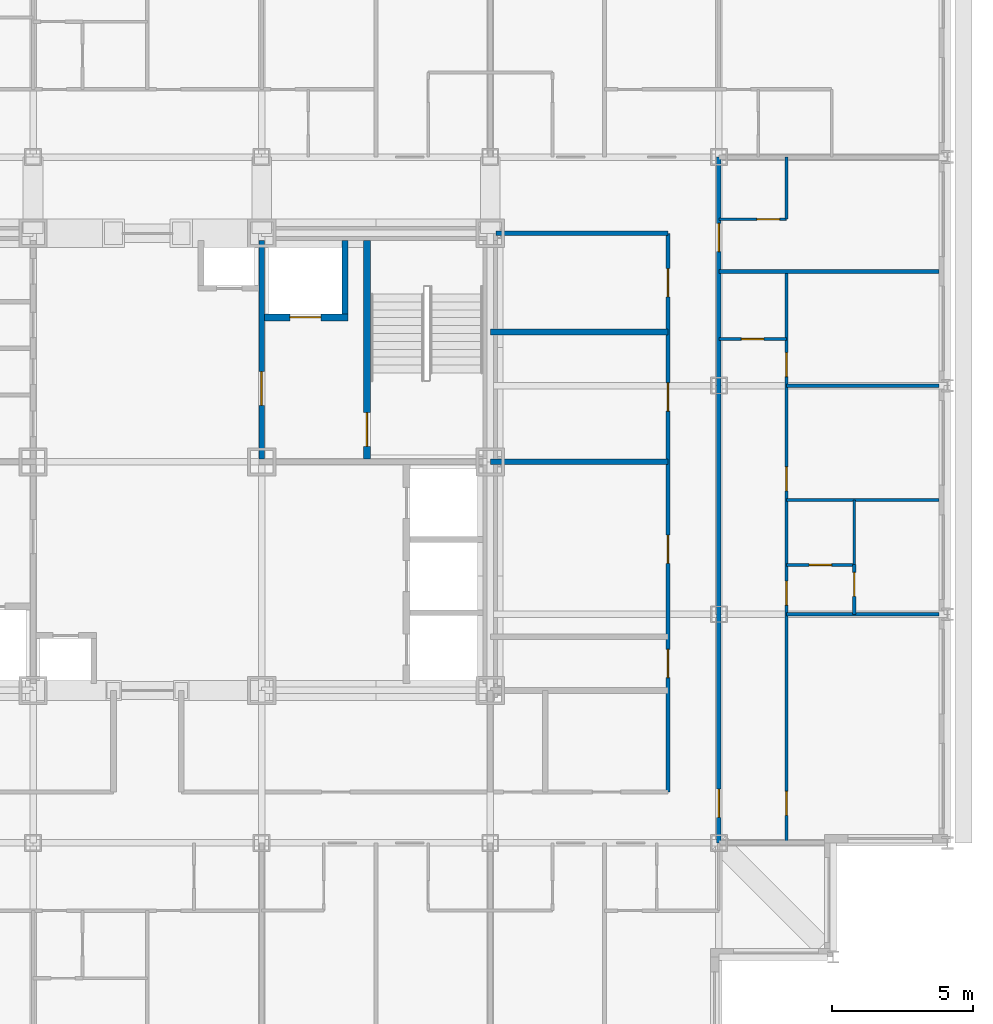
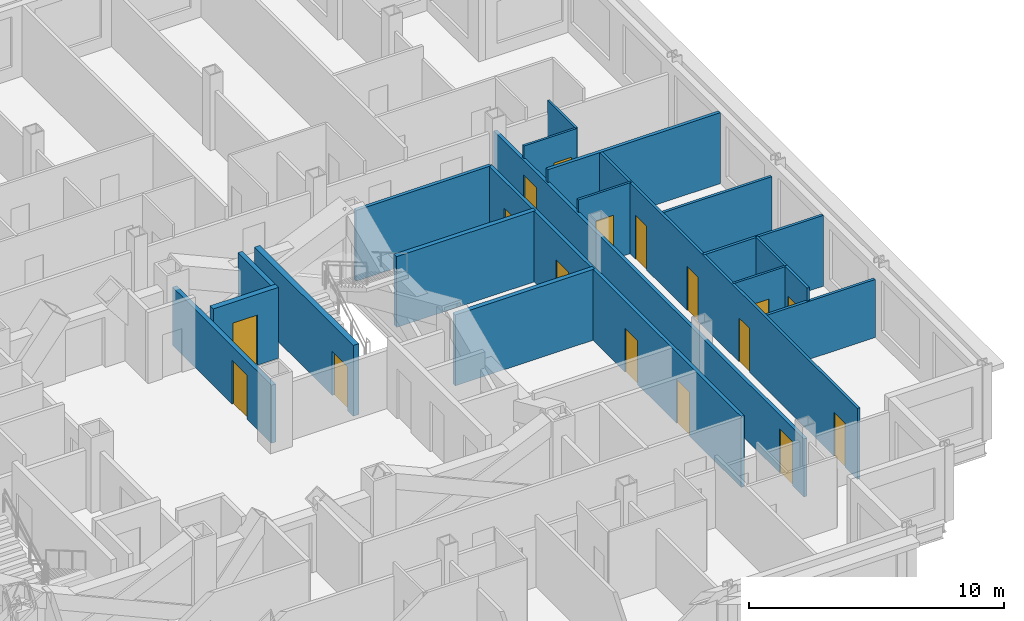
# One storey, part 8 of 12: 20 walls, 17 doors, 17 openings.
"""IFC4 building model written with IfcOpenShell, lengths in metres."""

import ifcopenshell
import ifcopenshell.guid

model = None  # the IFC model being written
_history = None  # IfcOwnerHistory: only IFC2X3 demands one
_inside = {}  # id of a spatial element -> (the spatial element, [elements in it])
_under = {}  # id of a project, library or spatial element -> (it, [spatial elements below it])
_declared = {}  # id of a project -> (the project, [libraries it declares])
_typed = {}  # id of a type object -> (the type object, [elements of that type])
_made_of = {}  # id of a material, layer set ... -> (it, [elements and type objects made of it])


def new_model(schema):
    """Start an empty IFC model of exactly this schema.

    Asked for "IFC4X3", IfcOpenShell would pick the latest addendum, in which some entities
    have other attributes; the version numbers below select the first issue.
    IFC2X3 requires an IfcOwnerHistory on every rooted entity: one is made here for all.
    """
    global model, _history
    if schema == "IFC4X3":
        model = ifcopenshell.file(schema_version=(4, 3, 0, 0))
    else:
        model = ifcopenshell.file(schema=schema)
    _inside.clear()
    _under.clear()
    _declared.clear()
    _typed.clear()
    _made_of.clear()
    _history = None
    if model.schema == "IFC2X3":
        org = make("IfcOrganization", Name="unknown")
        user = make(
            "IfcPersonAndOrganization",
            ThePerson=make("IfcPerson", FamilyName="unknown"),
            TheOrganization=org,
        )
        app = make(
            "IfcApplication",
            ApplicationDeveloper=org,
            Version="unknown",
            ApplicationFullName="unknown",
            ApplicationIdentifier="unknown",
        )
        _history = make(
            "IfcOwnerHistory",
            OwningUser=user,
            OwningApplication=app,
            ChangeAction="ADDED",
            CreationDate=0,
        )
    return model


def make(cls, **values):
    """One entity of the class cls with the attributes given. An attribute that is None is left unset."""
    return model.create_entity(
        cls, **{name: value for name, value in values.items() if value is not None}
    )


def rooted(cls, **values):
    """An entity with a GlobalId (a new one), such as an element, a storey or a relation."""
    return make(cls, GlobalId=ifcopenshell.guid.new(), OwnerHistory=_history, **values)


def si_unit(unit_type, name, prefix=None):
    """IfcSIUnit, for example si_unit("LENGTHUNIT", "METRE", prefix="MILLI")."""
    return make("IfcSIUnit", UnitType=unit_type, Prefix=prefix, Name=name)


def assignment(units):
    """IfcUnitAssignment: the units of a project."""
    return None if units is None else make("IfcUnitAssignment", Units=units)


def point(xyz):
    """IfcCartesianPoint."""
    return None if xyz is None else make("IfcCartesianPoint", Coordinates=xyz)


def direction(xyz):
    """IfcDirection."""
    return None if xyz is None else make("IfcDirection", DirectionRatios=xyz)


def frame(location, z_axis=None, x_axis=None):
    """IfcAxis2Placement3D, a coordinate frame: its origin and axes. An axis left out is left unset."""
    return make(
        "IfcAxis2Placement3D",
        Location=point(location),
        Axis=direction(z_axis),
        RefDirection=direction(x_axis),
    )


def frame_2d(location, x_axis=None):
    """IfcAxis2Placement2D, a coordinate frame in the plane: its origin and x axis."""
    return make(
        "IfcAxis2Placement2D", Location=point(location), RefDirection=direction(x_axis)
    )


def origin():
    """The frame at (0, 0, 0) with its axes left unset."""
    return frame((0.0, 0.0, 0.0))


def place(relative_to, where):
    """IfcLocalPlacement: puts the frame where relative to a parent placement (None: the world)."""
    return make(
        "IfcLocalPlacement", PlacementRelTo=relative_to, RelativePlacement=where
    )


def context(
    kind, dimensions, precision=None, world=None, true_north=None, identifier=None
):
    """IfcGeometricRepresentationContext, for example the 3D "Model" context."""
    return make(
        "IfcGeometricRepresentationContext",
        ContextIdentifier=identifier,
        ContextType=kind,
        CoordinateSpaceDimension=dimensions,
        Precision=precision,
        WorldCoordinateSystem=world,
        TrueNorth=true_north,
    )


def subcontext(parent, identifier, kind, view, scale=None):
    """IfcGeometricRepresentationSubContext, for example "Body" below "Model"."""
    return make(
        "IfcGeometricRepresentationSubContext",
        ContextIdentifier=identifier,
        ContextType=kind,
        ParentContext=parent,
        TargetScale=scale,
        TargetView=view,
    )


def project(units=None, contexts=None):
    """IfcProject with its units and contexts."""
    return rooted(
        "IfcProject",
        Name="project",
        RepresentationContexts=contexts,
        UnitsInContext=assignment(units),
    )


def spatial(cls, under=None, at=None, **own):
    """A site, building, storey or space (cls), placed at a placement, below another one or the project."""
    s = rooted(cls, ObjectPlacement=at, **own)
    if under is not None:
        _under.setdefault(under.id(), (under, []))[1].append(s)
    return s


def profile(cls, at=None, kind="AREA", **sizes):
    """A parametric profile (cls). Its sizes go by their IFC names, for example OverallWidth=200.0."""
    return make(cls, ProfileType=kind, Position=at, **sizes)


def rectangle(**sizes):
    """IfcRectangleProfileDef."""
    return profile("IfcRectangleProfileDef", **sizes)


def extrude(swept, where, along, depth):
    """IfcExtrudedAreaSolid: the profile swept, set in the frame where, extruded along a direction by depth."""
    return make(
        "IfcExtrudedAreaSolid",
        SweptArea=swept,
        Position=where,
        ExtrudedDirection=direction(along),
        Depth=depth,
    )


def shape(context_of_items, identifier, shape_type, items):
    """IfcShapeRepresentation: the items that make up one representation, for example the "Body"."""
    return make(
        "IfcShapeRepresentation",
        ContextOfItems=context_of_items,
        RepresentationIdentifier=identifier,
        RepresentationType=shape_type,
        Items=items,
    )


def material(Name=None, Category=None):
    """IfcMaterial."""
    return make("IfcMaterial", Name=Name, Category=Category)


def layer(
    of_material, thickness, ventilated=None, Name=None, Category=None, Priority=None
):
    """IfcMaterialLayer: one layer of a wall or slab, of a material (None: an air gap)."""
    return make(
        "IfcMaterialLayer",
        Material=of_material,
        LayerThickness=thickness,
        IsVentilated=ventilated,
        Name=Name,
        Category=Category,
        Priority=Priority,
    )


def layer_set(layers, Name=None):
    """IfcMaterialLayerSet."""
    return make("IfcMaterialLayerSet", MaterialLayers=layers, LayerSetName=Name)


def made_of(thing, what):
    """Note that an element or type object is made of a material, layer set ...; save() writes the relation."""
    if what is not None:
        _made_of.setdefault(what.id(), (what, []))[1].append(thing)
    return thing


def type_object(cls, material=None, **own):
    """A type object (cls), such as IfcWallType, which elements share."""
    return made_of(rooted(cls, **own), material)


def element(
    cls,
    number,
    at=None,
    inside=None,
    cuts=None,
    type_object=None,
    material=None,
    context=None,
    identifier="Body",
    shape_type=None,
    held_by="IfcProductDefinitionShape",
    body=None,
    shapes=None,
    **own,
):
    """One element of the class cls, such as IfcWall. Its Tag is "e" and its number.

    at: its placement. inside: the storey or other place that contains it. cuts: it is an
    opening in that element (IfcRelVoidsElement). A single representation is given by context,
    identifier, shape_type and body (its items); several are given by shapes. held_by: the class
    of the entity that holds the representations. save() writes the other relations.
    """
    e = rooted(cls, Tag="e%d" % number, ObjectPlacement=at, **own)
    if body is not None:
        shapes = [shape(context, identifier, shape_type, body)]
    if shapes is not None:
        e.Representation = make(held_by, Representations=shapes)
    if inside is not None:
        _inside.setdefault(inside.id(), (inside, []))[1].append(e)
    if cuts is not None:
        rooted(
            "IfcRelVoidsElement", RelatingBuildingElement=cuts, RelatedOpeningElement=e
        )
    if type_object is not None:
        _typed.setdefault(type_object.id(), (type_object, []))[1].append(e)
    return made_of(e, material)


def fill(opening, filler):
    """IfcRelFillsElement: the door or window that sits in an opening."""
    return rooted(
        "IfcRelFillsElement",
        RelatingOpeningElement=opening,
        RelatedBuildingElement=filler,
    )


def aggregate(whole, parts):
    """IfcRelAggregates: a whole, such as a stair, and the parts it consists of."""
    return rooted("IfcRelAggregates", RelatingObject=whole, RelatedObjects=parts)


def save(model, path):
    """Write the relations noted so far, then the file.

    IfcRelAggregates (storeys below a building ...), IfcRelContainedInSpatialStructure (elements
    in a storey), IfcRelDefinesByType, IfcRelAssociatesMaterial and IfcRelDeclares: one each for
    every whole, place, type object, material and project.
    """
    for whole, parts in _under.values():
        aggregate(whole, parts)
    for where, things in _inside.values():
        rooted(
            "IfcRelContainedInSpatialStructure",
            RelatedElements=things,
            RelatingStructure=where,
        )
    for kind, things in _typed.values():
        rooted("IfcRelDefinesByType", RelatedObjects=things, RelatingType=kind)
    for what, things in _made_of.values():
        rooted("IfcRelAssociatesMaterial", RelatedObjects=things, RelatingMaterial=what)
    for by, libraries in _declared.values():
        rooted("IfcRelDeclares", RelatingContext=by, RelatedDefinitions=libraries)
    model.write(path)


model = new_model("IFC4")

# Units and contexts
model_context = context("Model", 3, precision=1e-05, world=origin(), true_north=direction((0.0, 1.0)))
body_context = subcontext(model_context, "Body", "Model", "MODEL_VIEW")
ifc_project = project(units=[si_unit("LENGTHUNIT", "METRE"), si_unit("AREAUNIT", "SQUARE_METRE"), si_unit("VOLUMEUNIT", "CUBIC_METRE"), si_unit("PLANEANGLEUNIT", "RADIAN"), si_unit("MASSUNIT", "GRAM", prefix="KILO")], contexts=[model_context])

# Site, building, storey
site_placement = place(None, origin())
site = spatial("IfcSite", under=ifc_project, at=site_placement, CompositionType="ELEMENT")
building_placement = place(site_placement, origin())
building = spatial("IfcBuilding", under=site, at=building_placement, Name="Kopane Lantern Tower", CompositionType="ELEMENT")
storey_placement = place(building_placement, frame((0.0, 0.0, 217.199951171875)))
storey = spatial("IfcBuildingStorey", under=building, at=storey_placement, Name="L56", CompositionType="ELEMENT", Elevation=217.199951171875)

# Wall, openings, doors
ifc_material_1 = material(Name="Gypsum board on steel studs", Category="steel")
ifc_layer_1 = layer(ifc_material_1, 0.1201171875)
ifc_layer_set_1 = layer_set([ifc_layer_1], Name="APARTMENT INTERNAL WALL 120")
wall_type_1 = type_object("IfcWallType", Name="APARTMENT INTERNAL WALL 120", PredefinedType="PARTITIONING", material=ifc_layer_set_1)
wall_1_placement = place(storey_placement, frame((51.0, 18.89990234375, 0.0), z_axis=(0.0, 0.0, 1.0), x_axis=(0.0, 1.0, 0.0)))
wall_1 = element("IfcWall", 1, at=wall_1_placement, inside=storey, type_object=wall_type_1, Name="Apartment Internal Wall 120 L56", PredefinedType="PARTITIONING", context=body_context, shape_type="SweptSolid", body=[
    extrude(rectangle(XDim=20.25, YDim=0.1201171875, at=frame_2d((10.125, 0.0))), origin(), (0.0, 0.0, 1.0), 3.39013671875),
])
opening_1_placement = place(wall_1_placement, frame((0.97509765625, 0.0, 0.0)))
opening_1 = element("IfcOpeningElement", 2, at=opening_1_placement, cuts=wall_1, Name="Opening L56-047", PredefinedType="OPENING", context=body_context, shape_type="SweptSolid", body=[
    extrude(rectangle(XDim=0.85009765625, YDim=2.10009765625, at=frame_2d((0.425048828125, 1.050048828125))), frame((0.0, 0.070068359375, 0.0), z_axis=(0.0, -1.0, 0.0), x_axis=(1.0, 0.0, 0.0)), (0.0, 0.0, 1.0), 0.14013671875),
])
opening_2_placement = place(wall_1_placement, frame((8.425048828125, 0.0, 0.0)))
opening_2 = element("IfcOpeningElement", 3, at=opening_2_placement, cuts=wall_1, Name="Opening L56-049", PredefinedType="OPENING", context=body_context, shape_type="SweptSolid", body=[
    extrude(rectangle(XDim=0.85009765625, YDim=2.10009765625, at=frame_2d((0.425048828125, 1.050048828125))), frame((0.0, 0.070068359375, 0.0), z_axis=(0.0, -1.0, 0.0), x_axis=(1.0, 0.0, 0.0)), (0.0, 0.0, 1.0), 0.14013671875),
])
opening_3_placement = place(wall_1_placement, frame((12.47509765625, 0.0, 0.0)))
opening_3 = element("IfcOpeningElement", 4, at=opening_3_placement, cuts=wall_1, Name="Opening L56-050", PredefinedType="OPENING", context=body_context, shape_type="SweptSolid", body=[
    extrude(rectangle(XDim=0.85009765625, YDim=2.10009765625, at=frame_2d((0.425048828125, 1.050048828125))), frame((0.0, 0.070068359375, 0.0), z_axis=(0.0, -1.0, 0.0), x_axis=(1.0, 0.0, 0.0)), (0.0, 0.0, 1.0), 0.14013671875),
])
opening_4_placement = place(wall_1_placement, frame((16.52490234375, 0.0, 0.0)))
opening_4 = element("IfcOpeningElement", 5, at=opening_4_placement, cuts=wall_1, Name="Opening L56-051", PredefinedType="OPENING", context=body_context, shape_type="SweptSolid", body=[
    extrude(rectangle(XDim=0.85009765625, YDim=2.10009765625, at=frame_2d((0.425048828125, 1.050048828125))), frame((0.0, 0.070068359375, 0.0), z_axis=(0.0, -1.0, 0.0), x_axis=(1.0, 0.0, 0.0)), (0.0, 0.0, 1.0), 0.14013671875),
])
ifc_material_2 = material(Name="Timber door set", Category="wood")
door_type_1 = type_object("IfcDoorType", Name="DOOR D4 850x2100", OperationType="SINGLE_SWING_LEFT", PredefinedType="DOOR", material=ifc_material_2)
door_1_placement = place(opening_1_placement, origin())
door_1 = element("IfcDoor", 6, at=door_1_placement, inside=storey, type_object=door_type_1, Name="Door L56-047", OperationType="SINGLE_SWING_LEFT", OverallHeight=2.10009765625, OverallWidth=0.85009765625, PredefinedType="DOOR", context=body_context, shape_type="SweptSolid", body=[
    extrude(rectangle(XDim=0.85009765625, YDim=2.10009765625, at=frame_2d((0.425048828125, 1.050048828125))), frame((0.0, 0.02490234375, 0.0), z_axis=(0.0, -1.0, 0.0), x_axis=(1.0, 0.0, 0.0)), (0.0, 0.0, 1.0), 0.050048828125),
])
fill(opening_1, door_1)
door_2_placement = place(opening_2_placement, origin())
door_2 = element("IfcDoor", 7, at=door_2_placement, inside=storey, type_object=door_type_1, Name="Door L56-049", OperationType="SINGLE_SWING_RIGHT", OverallHeight=2.10009765625, OverallWidth=0.85009765625, PredefinedType="DOOR", context=body_context, shape_type="SweptSolid", body=[
    extrude(rectangle(XDim=0.85009765625, YDim=2.10009765625, at=frame_2d((0.425048828125, 1.050048828125))), frame((0.0, 0.02490234375, 0.0), z_axis=(0.0, -1.0, 0.0), x_axis=(1.0, 0.0, 0.0)), (0.0, 0.0, 1.0), 0.050048828125),
])
fill(opening_2, door_2)
door_3_placement = place(opening_3_placement, origin())
door_3 = element("IfcDoor", 8, at=door_3_placement, inside=storey, type_object=door_type_1, Name="Door L56-050", OperationType="SINGLE_SWING_RIGHT", OverallHeight=2.10009765625, OverallWidth=0.85009765625, PredefinedType="DOOR", context=body_context, shape_type="SweptSolid", body=[
    extrude(rectangle(XDim=0.85009765625, YDim=2.10009765625, at=frame_2d((0.425048828125, 1.050048828125))), frame((0.0, 0.02490234375, 0.0), z_axis=(0.0, -1.0, 0.0), x_axis=(1.0, 0.0, 0.0)), (0.0, 0.0, 1.0), 0.050048828125),
])
fill(opening_3, door_3)
door_4_placement = place(opening_4_placement, origin())
door_4 = element("IfcDoor", 9, at=door_4_placement, inside=storey, type_object=door_type_1, Name="Door L56-051", OperationType="SINGLE_SWING_RIGHT", OverallHeight=2.10009765625, OverallWidth=0.85009765625, PredefinedType="DOOR", context=body_context, shape_type="SweptSolid", body=[
    extrude(rectangle(XDim=0.85009765625, YDim=2.10009765625, at=frame_2d((0.425048828125, 1.050048828125))), frame((0.0, 0.02490234375, 0.0), z_axis=(0.0, -1.0, 0.0), x_axis=(1.0, 0.0, 0.0)), (0.0, 0.0, 1.0), 0.050048828125),
])
fill(opening_4, door_4)

# Walls
wall_2_placement = place(storey_placement, frame((51.0, 27.0, 0.0), z_axis=(0.0, 0.0, 1.0), x_axis=(1.0, 0.0, 0.0)))
element("IfcWall", 10, at=wall_2_placement, inside=storey, type_object=wall_type_1, Name="Apartment Internal Wall 120 L56", PredefinedType="PARTITIONING", context=body_context, shape_type="SweptSolid", body=[
    extrude(rectangle(XDim=5.39990234375, YDim=0.1201171875, at=frame_2d((2.699951171875, 0.0))), origin(), (0.0, 0.0, 1.0), 2.77783203125),
])
wall_3_placement = place(storey_placement, frame((51.0, 31.050048828125, 0.0), z_axis=(0.0, 0.0, 1.0), x_axis=(1.0, 0.0, 0.0)))
element("IfcWall", 11, at=wall_3_placement, inside=storey, type_object=wall_type_1, Name="Apartment Internal Wall 120 L56", PredefinedType="PARTITIONING", context=body_context, shape_type="SweptSolid", body=[
    extrude(rectangle(XDim=5.39990234375, YDim=0.1201171875, at=frame_2d((2.699951171875, 0.0))), origin(), (0.0, 0.0, 1.0), 3.39013671875),
])
wall_4_placement = place(storey_placement, frame((51.0, 35.10009765625, 0.0), z_axis=(0.0, 0.0, 1.0), x_axis=(1.0, 0.0, 0.0)))
element("IfcWall", 12, at=wall_4_placement, inside=storey, type_object=wall_type_1, Name="Apartment Internal Wall 120 L56", PredefinedType="PARTITIONING", context=body_context, shape_type="SweptSolid", body=[
    extrude(rectangle(XDim=5.39990234375, YDim=0.1201171875, at=frame_2d((2.699951171875, 0.0))), origin(), (0.0, 0.0, 1.0), 2.77783203125),
])

# Wall, opening, door
wall_5_placement = place(storey_placement, frame((53.39990234375, 28.760009765625, 0.0), z_axis=(0.0, 0.0, 1.0), x_axis=(0.0, -1.0, 0.0)))
wall_5 = element("IfcWall", 13, at=wall_5_placement, inside=storey, type_object=wall_type_1, Name="Apartment Internal Wall 120 L56", PredefinedType="PARTITIONING", context=body_context, shape_type="SweptSolid", body=[
    extrude(rectangle(XDim=1.760009765625, YDim=0.1201171875, at=frame_2d((0.8798828125, 0.0))), origin(), (0.0, 0.0, 1.0), 3.39013671875),
])
opening_5_placement = place(wall_5_placement, frame((0.27490234375, 0.0, 0.0)))
opening_5 = element("IfcOpeningElement", 14, at=opening_5_placement, cuts=wall_5, Name="Opening L56-072", PredefinedType="OPENING", context=body_context, shape_type="SweptSolid", body=[
    extrude(rectangle(XDim=0.85009765625, YDim=2.10009765625, at=frame_2d((0.425048828125, 1.050048828125))), frame((0.0, 0.070068359375, 0.0), z_axis=(0.0, -1.0, 0.0), x_axis=(1.0, 0.0, 0.0)), (0.0, 0.0, 1.0), 0.14013671875),
])
door_5_placement = place(opening_5_placement, origin())
door_5 = element("IfcDoor", 15, at=door_5_placement, inside=storey, type_object=door_type_1, Name="Door L56-072", OperationType="SINGLE_SWING_RIGHT", OverallHeight=2.10009765625, OverallWidth=0.85009765625, PredefinedType="DOOR", context=body_context, shape_type="SweptSolid", body=[
    extrude(rectangle(XDim=0.85009765625, YDim=2.10009765625, at=frame_2d((0.425048828125, 1.050048828125))), frame((0.0, 0.02490234375, 0.0), z_axis=(0.0, -1.0, 0.0), x_axis=(1.0, 0.0, 0.0)), (0.0, 0.0, 1.0), 0.050048828125),
])
fill(opening_5, door_5)

ifc_material_3 = material(Name="Moisture-resistant board on steel studs", Category="steel")
ifc_layer_2 = layer(ifc_material_3, 0.10009765625)
ifc_layer_set_2 = layer_set([ifc_layer_2], Name="BATHROOM WALL 100")
wall_type_2 = type_object("IfcWallType", Name="BATHROOM WALL 100", PredefinedType="PARTITIONING", material=ifc_layer_set_2)
wall_6_placement = place(storey_placement, frame((48.60009765625, 36.75, 0.0), z_axis=(0.0, 0.0, 1.0), x_axis=(1.0, 0.0, 0.0)))
wall_6 = element("IfcWall", 16, at=wall_6_placement, inside=storey, type_object=wall_type_2, Name="Bathroom Wall 100 L56", PredefinedType="PARTITIONING", context=body_context, shape_type="SweptSolid", body=[
    extrude(rectangle(XDim=2.39990234375, YDim=0.10009765625, at=frame_2d((1.199951171875, 0.0))), origin(), (0.0, 0.0, 1.0), 3.39013671875),
])
opening_6_placement = place(wall_6_placement, frame((0.800048828125, 0.0, 0.0)))
opening_6 = element("IfcOpeningElement", 17, at=opening_6_placement, cuts=wall_6, Name="Opening L56-045", PredefinedType="OPENING", context=body_context, shape_type="SweptSolid", body=[
    extrude(rectangle(XDim=0.800048828125, YDim=2.10009765625, at=frame_2d((0.39990234375, 1.050048828125))), frame((0.0, 0.06005859375, 0.0), z_axis=(0.0, -1.0, 0.0), x_axis=(1.0, 0.0, 0.0)), (0.0, 0.0, 1.0), 0.1201171875),
])
ifc_material_4 = material(Name="Timber door set", Category="wood")
door_type_2 = type_object("IfcDoorType", Name="DOOR D2 800x2100", OperationType="SINGLE_SWING_LEFT", PredefinedType="DOOR", material=ifc_material_4)
door_6_placement = place(opening_6_placement, origin())
door_6 = element("IfcDoor", 18, at=door_6_placement, inside=storey, type_object=door_type_2, Name="Door L56-045", OperationType="SINGLE_SWING_LEFT", OverallHeight=2.10009765625, OverallWidth=0.800048828125, PredefinedType="DOOR", context=body_context, shape_type="SweptSolid", body=[
    extrude(rectangle(XDim=0.800048828125, YDim=2.10009765625, at=frame_2d((0.39990234375, 1.050048828125))), frame((0.0, 0.02490234375, 0.0), z_axis=(0.0, -1.0, 0.0), x_axis=(1.0, 0.0, 0.0)), (0.0, 0.0, 1.0), 0.050048828125),
])
fill(opening_6, door_6)

wall_7_placement = place(storey_placement, frame((51.0, 28.75, 0.0), z_axis=(0.0, 0.0, 1.0), x_axis=(1.0, 0.0, 0.0)))
wall_7 = element("IfcWall", 19, at=wall_7_placement, inside=storey, type_object=wall_type_2, Name="Bathroom Wall 100 L56", PredefinedType="PARTITIONING", context=body_context, shape_type="SweptSolid", body=[
    extrude(rectangle(XDim=2.39990234375, YDim=0.10009765625, at=frame_2d((1.199951171875, 0.0))), origin(), (0.0, 0.0, 1.0), 3.39013671875),
])
opening_7_placement = place(wall_7_placement, frame((0.800048828125, 0.0, 0.0)))
opening_7 = element("IfcOpeningElement", 20, at=opening_7_placement, cuts=wall_7, Name="Opening L56-048", PredefinedType="OPENING", context=body_context, shape_type="SweptSolid", body=[
    extrude(rectangle(XDim=0.800048828125, YDim=2.10009765625, at=frame_2d((0.39990234375, 1.050048828125))), frame((0.0, 0.06005859375, 0.0), z_axis=(0.0, -1.0, 0.0), x_axis=(1.0, 0.0, 0.0)), (0.0, 0.0, 1.0), 0.1201171875),
])
door_7_placement = place(opening_7_placement, origin())
door_7 = element("IfcDoor", 21, at=door_7_placement, inside=storey, type_object=door_type_2, Name="Door L56-048", OperationType="SINGLE_SWING_LEFT", OverallHeight=2.10009765625, OverallWidth=0.800048828125, PredefinedType="DOOR", context=body_context, shape_type="SweptSolid", body=[
    extrude(rectangle(XDim=0.800048828125, YDim=2.10009765625, at=frame_2d((0.39990234375, 1.050048828125))), frame((0.0, 0.02490234375, 0.0), z_axis=(0.0, -1.0, 0.0), x_axis=(1.0, 0.0, 0.0)), (0.0, 0.0, 1.0), 0.050048828125),
])
fill(opening_7, door_7)

# Walls
wall_8_placement = place(storey_placement, frame((53.39990234375, 28.75, 0.0), z_axis=(0.0, 0.0, 1.0), x_axis=(0.0, 1.0, 0.0)))
element("IfcWall", 22, at=wall_8_placement, inside=storey, type_object=wall_type_2, Name="Bathroom Wall 100 L56", PredefinedType="PARTITIONING", context=body_context, shape_type="SweptSolid", body=[
    extrude(rectangle(XDim=2.300048828125, YDim=0.10009765625, at=frame_2d((1.14990234375, 0.0))), origin(), (0.0, 0.0, 1.0), 3.39013671875),
])
wall_9_placement = place(storey_placement, frame((51.0, 41.0, 0.0), z_axis=(0.0, 0.0, 1.0), x_axis=(0.0, 1.0, 0.0)))
element("IfcWall", 23, at=wall_9_placement, inside=storey, type_object=wall_type_2, Name="Bathroom Wall 100 L56", PredefinedType="PARTITIONING", context=body_context, shape_type="SweptSolid", body=[
    extrude(rectangle(XDim=2.199951171875, YDim=0.10009765625, at=frame_2d((1.10009765625, 0.0))), origin(), (0.0, 0.0, 1.0), 3.39013671875),
])

# Wall, opening, door
wall_10_placement = place(storey_placement, frame((48.60009765625, 41.0, 0.0), z_axis=(0.0, 0.0, 1.0), x_axis=(1.0, 0.0, 0.0)))
wall_10 = element("IfcWall", 24, at=wall_10_placement, inside=storey, type_object=wall_type_2, Name="Bathroom Wall 100 L56", PredefinedType="PARTITIONING", context=body_context, shape_type="SweptSolid", body=[
    extrude(rectangle(XDim=2.39990234375, YDim=0.10009765625, at=frame_2d((1.199951171875, 0.0))), origin(), (0.0, 0.0, 1.0), 3.39013671875),
])
opening_8_placement = place(wall_10_placement, frame((1.35009765625, 0.0, 0.0)))
opening_8 = element("IfcOpeningElement", 25, at=opening_8_placement, cuts=wall_10, Name="Opening L56-052", PredefinedType="OPENING", context=body_context, shape_type="SweptSolid", body=[
    extrude(rectangle(XDim=0.800048828125, YDim=2.10009765625, at=frame_2d((0.39990234375, 1.050048828125))), frame((0.0, 0.06005859375, 0.0), z_axis=(0.0, -1.0, 0.0), x_axis=(1.0, 0.0, 0.0)), (0.0, 0.0, 1.0), 0.1201171875),
])
door_8_placement = place(opening_8_placement, origin())
door_8 = element("IfcDoor", 26, at=door_8_placement, inside=storey, type_object=door_type_2, Name="Door L56-052", OperationType="SINGLE_SWING_RIGHT", OverallHeight=2.10009765625, OverallWidth=0.800048828125, PredefinedType="DOOR", context=body_context, shape_type="SweptSolid", body=[
    extrude(rectangle(XDim=0.800048828125, YDim=2.10009765625, at=frame_2d((0.39990234375, 1.050048828125))), frame((0.0, 0.02490234375, 0.0), z_axis=(0.0, -1.0, 0.0), x_axis=(1.0, 0.0, 0.0)), (0.0, 0.0, 1.0), 0.050048828125),
])
fill(opening_8, door_8)

ifc_material_5 = material(Name="Gypsum shaft wall EI 120", Category="gypsum")
ifc_layer_3 = layer(ifc_material_5, 0.25)
ifc_layer_set_3 = layer_set([ifc_layer_3], Name="CORE SHAFT WALL 250 EI 120")
wall_type_3 = type_object("IfcWallType", Name="CORE SHAFT WALL 250 EI 120", PredefinedType="SOLIDWALL", material=ifc_layer_set_3)
wall_11_placement = place(storey_placement, frame((36.125, 32.5, 0.0), z_axis=(0.0, 0.0, 1.0), x_axis=(0.0, 1.0, 0.0)))
wall_11 = element("IfcWall", 27, at=wall_11_placement, inside=storey, type_object=wall_type_3, Name="Core shaft wall L56 XST2", PredefinedType="SOLIDWALL", context=body_context, shape_type="SweptSolid", body=[
    extrude(rectangle(XDim=7.75, YDim=0.25, at=frame_2d((3.875, 0.0))), origin(), (0.0, 0.0, 1.0), 3.39013671875),
])
opening_9_placement = place(wall_11_placement, frame((0.449951171875, 0.0, 0.0)))
opening_9 = element("IfcOpeningElement", 28, at=opening_9_placement, cuts=wall_11, Name="Opening 56.SD2", PredefinedType="OPENING", context=body_context, shape_type="SweptSolid", body=[
    extrude(rectangle(XDim=1.199951171875, YDim=2.10009765625, at=frame_2d((0.60009765625, 1.050048828125))), frame((0.0, 0.135009765625, 0.0), z_axis=(0.0, -1.0, 0.0), x_axis=(1.0, 0.0, 0.0)), (0.0, 0.0, 1.0), 0.27001953125),
])
ifc_material_6 = material(Name="Steel door set", Category="steel")
door_type_3 = type_object("IfcDoorType", Name="STAIR DOOR 1200x2100 FD60S", OperationType="SINGLE_SWING_LEFT", PredefinedType="DOOR", material=ifc_material_6)
door_9_placement = place(opening_9_placement, origin())
door_9 = element("IfcDoor", 29, at=door_9_placement, inside=storey, type_object=door_type_3, Name="Stair door ST2 L56", OperationType="SINGLE_SWING_RIGHT", OverallHeight=2.10009765625, OverallWidth=1.199951171875, PredefinedType="DOOR", context=body_context, shape_type="SweptSolid", body=[
    extrude(rectangle(XDim=1.199951171875, YDim=2.10009765625, at=frame_2d((0.60009765625, 1.050048828125))), frame((0.0, 0.02490234375, 0.0), z_axis=(0.0, -1.0, 0.0), x_axis=(1.0, 0.0, 0.0)), (0.0, 0.0, 1.0), 0.050048828125),
])
fill(opening_9, door_9)

wall_12_placement = place(storey_placement, frame((32.5, 37.52490234375, 0.0), z_axis=(0.0, 0.0, 1.0), x_axis=(1.0, 0.0, 0.0)))
wall_12 = element("IfcWall", 30, at=wall_12_placement, inside=storey, type_object=wall_type_3, Name="Core shaft wall L56 YLF2", PredefinedType="SOLIDWALL", context=body_context, shape_type="SweptSolid", body=[
    extrude(rectangle(XDim=2.949951171875, YDim=0.25, at=frame_2d((1.47509765625, 0.0))), origin(), (0.0, 0.0, 1.0), 3.39013671875),
])
opening_10_placement = place(wall_12_placement, frame((0.89990234375, 0.0, 0.0)))
opening_10 = element("IfcOpeningElement", 31, at=opening_10_placement, cuts=wall_12, Name="Opening 56.LD-LF2", PredefinedType="OPENING", context=body_context, shape_type="SweptSolid", body=[
    extrude(rectangle(XDim=1.10009765625, YDim=2.39990234375, at=frame_2d((0.550048828125, 1.199951171875))), frame((0.0, 0.135009765625, 0.0), z_axis=(0.0, -1.0, 0.0), x_axis=(1.0, 0.0, 0.0)), (0.0, 0.0, 1.0), 0.27001953125),
])
ifc_material_7 = material(Name="Steel door set", Category="steel")
door_type_4 = type_object("IfcDoorType", Name="LIFT LANDING DOOR 1100x2400 FD60", OperationType="DOUBLE_DOOR_SLIDING", PredefinedType="DOOR", material=ifc_material_7)
door_10_placement = place(opening_10_placement, origin())
door_10 = element("IfcDoor", 32, at=door_10_placement, inside=storey, type_object=door_type_4, Name="Landing door LF2 L56", OperationType="DOUBLE_DOOR_SLIDING", OverallHeight=2.39990234375, OverallWidth=1.10009765625, PredefinedType="DOOR", context=body_context, shape_type="SweptSolid", body=[
    extrude(rectangle(XDim=1.10009765625, YDim=2.39990234375, at=frame_2d((0.550048828125, 1.199951171875))), frame((0.0, 0.02490234375, 0.0), z_axis=(0.0, -1.0, 0.0), x_axis=(1.0, 0.0, 0.0)), (0.0, 0.0, 1.0), 0.050048828125),
])
fill(opening_10, door_10)

# Wall, openings, doors
ifc_material_8 = material(Name="Gypsum board on steel studs", Category="steel")
ifc_layer_4 = layer(ifc_material_8, 0.14990234375)
ifc_layer_set_4 = layer_set([ifc_layer_4], Name="CORRIDOR WALL 150 EI 60")
wall_type_4 = type_object("IfcWallType", Name="CORRIDOR WALL 150 EI 60", PredefinedType="PARTITIONING", material=ifc_layer_set_4)
wall_13_placement = place(storey_placement, frame((48.60009765625, 18.89990234375, 0.0), z_axis=(0.0, 0.0, 1.0), x_axis=(0.0, 1.0, 0.0)))
wall_13 = element("IfcWall", 33, at=wall_13_placement, inside=storey, type_object=wall_type_4, Name="Corridor Wall 150 Ei 60 L56", PredefinedType="PARTITIONING", context=body_context, shape_type="SweptSolid", body=[
    extrude(rectangle(XDim=24.300048828125, YDim=0.14990234375, at=frame_2d((12.14990234375, 0.0))), origin(), (0.0, 0.0, 1.0), 2.77783203125),
])
opening_11_placement = place(wall_13_placement, frame((0.89990234375, 0.0, 0.0)))
opening_11 = element("IfcOpeningElement", 34, at=opening_11_placement, cuts=wall_13, Name="Opening L56-046", PredefinedType="OPENING", context=body_context, shape_type="SweptSolid", body=[
    extrude(rectangle(XDim=1.0, YDim=2.10009765625, at=frame_2d((0.5, 1.050048828125))), frame((0.0, 0.0849609375, 0.0), z_axis=(0.0, -1.0, 0.0), x_axis=(1.0, 0.0, 0.0)), (0.0, 0.0, 1.0), 0.169921875),
])
opening_12_placement = place(wall_13_placement, frame((20.949951171875, 0.0, 0.0)))
opening_12 = element("IfcOpeningElement", 35, at=opening_12_placement, cuts=wall_13, Name="Opening L56-053", PredefinedType="OPENING", context=body_context, shape_type="SweptSolid", body=[
    extrude(rectangle(XDim=1.0, YDim=2.10009765625, at=frame_2d((0.5, 1.050048828125))), frame((0.0, 0.0849609375, 0.0), z_axis=(0.0, -1.0, 0.0), x_axis=(1.0, 0.0, 0.0)), (0.0, 0.0, 1.0), 0.169921875),
])
ifc_material_9 = material(Name="Steel door set", Category="steel")
door_type_5 = type_object("IfcDoorType", Name="DOOR D3 1000x2100 FD30S", OperationType="SINGLE_SWING_LEFT", PredefinedType="DOOR", material=ifc_material_9)
door_11_placement = place(opening_11_placement, origin())
door_11 = element("IfcDoor", 36, at=door_11_placement, inside=storey, type_object=door_type_5, Name="Door L56-046", OperationType="SINGLE_SWING_RIGHT", OverallHeight=2.10009765625, OverallWidth=1.0, PredefinedType="DOOR", context=body_context, shape_type="SweptSolid", body=[
    extrude(rectangle(XDim=1.0, YDim=2.10009765625, at=frame_2d((0.5, 1.050048828125))), frame((0.0, 0.02490234375, 0.0), z_axis=(0.0, -1.0, 0.0), x_axis=(1.0, 0.0, 0.0)), (0.0, 0.0, 1.0), 0.050048828125),
])
fill(opening_11, door_11)
door_12_placement = place(opening_12_placement, origin())
door_12 = element("IfcDoor", 37, at=door_12_placement, inside=storey, type_object=door_type_5, Name="Door L56-053", OperationType="SINGLE_SWING_LEFT", OverallHeight=2.10009765625, OverallWidth=1.0, PredefinedType="DOOR", context=body_context, shape_type="SweptSolid", body=[
    extrude(rectangle(XDim=1.0, YDim=2.10009765625, at=frame_2d((0.5, 1.050048828125))), frame((0.0, 0.02490234375, 0.0), z_axis=(0.0, -1.0, 0.0), x_axis=(1.0, 0.0, 0.0)), (0.0, 0.0, 1.0), 0.050048828125),
])
fill(opening_12, door_12)

wall_14_placement = place(storey_placement, frame((46.800048828125, 20.699951171875, 0.0), z_axis=(0.0, 0.0, 1.0), x_axis=(0.0, 1.0, 0.0)))
wall_14 = element("IfcWall", 38, at=wall_14_placement, inside=storey, type_object=wall_type_4, Name="Corridor Wall 150 Ei 60 L56", PredefinedType="PARTITIONING", context=body_context, shape_type="SweptSolid", body=[
    extrude(rectangle(XDim=19.800048828125, YDim=0.14990234375, at=frame_2d((9.89990234375, 0.0))), origin(), (0.0, 0.0, 1.0), 3.39013671875),
])
opening_13_placement = place(wall_14_placement, frame((4.052490234375, 0.0, 0.0)))
opening_13 = element("IfcOpeningElement", 39, at=opening_13_placement, cuts=wall_14, Name="Opening L56-003", PredefinedType="OPENING", context=body_context, shape_type="SweptSolid", body=[
    extrude(rectangle(XDim=1.0, YDim=2.10009765625, at=frame_2d((0.5, 1.050048828125))), frame((0.0, 0.0849609375, 0.0), z_axis=(0.0, -1.0, 0.0), x_axis=(1.0, 0.0, 0.0)), (0.0, 0.0, 1.0), 0.169921875),
])
opening_14_placement = place(wall_14_placement, frame((8.102294921875, 0.0, 0.0)))
opening_14 = element("IfcOpeningElement", 40, at=opening_14_placement, cuts=wall_14, Name="Opening L56-004", PredefinedType="OPENING", context=body_context, shape_type="SweptSolid", body=[
    extrude(rectangle(XDim=1.0, YDim=2.10009765625, at=frame_2d((0.5, 1.050048828125))), frame((0.0, 0.0849609375, 0.0), z_axis=(0.0, -1.0, 0.0), x_axis=(1.0, 0.0, 0.0)), (0.0, 0.0, 1.0), 0.169921875),
])
opening_15_placement = place(wall_14_placement, frame((13.501708984375, 0.0, 0.0)))
opening_15 = element("IfcOpeningElement", 41, at=opening_15_placement, cuts=wall_14, Name="Opening L56-005", PredefinedType="OPENING", context=body_context, shape_type="SweptSolid", body=[
    extrude(rectangle(XDim=1.0, YDim=2.10009765625, at=frame_2d((0.5, 1.050048828125))), frame((0.0, 0.0849609375, 0.0), z_axis=(0.0, -1.0, 0.0), x_axis=(1.0, 0.0, 0.0)), (0.0, 0.0, 1.0), 0.169921875),
])
opening_16_placement = place(wall_14_placement, frame((17.551513671875, 0.0, 0.0)))
opening_16 = element("IfcOpeningElement", 42, at=opening_16_placement, cuts=wall_14, Name="Opening L56-006", PredefinedType="OPENING", context=body_context, shape_type="SweptSolid", body=[
    extrude(rectangle(XDim=1.0, YDim=2.10009765625, at=frame_2d((0.5, 1.050048828125))), frame((0.0, 0.0849609375, 0.0), z_axis=(0.0, -1.0, 0.0), x_axis=(1.0, 0.0, 0.0)), (0.0, 0.0, 1.0), 0.169921875),
])
ifc_material_10 = material(Name="Steel door set", Category="steel")
door_type_6 = type_object("IfcDoorType", Name="DOOR D5 1000x2100 FD60", OperationType="SINGLE_SWING_LEFT", PredefinedType="DOOR", material=ifc_material_10)
door_13_placement = place(opening_13_placement, origin())
door_13 = element("IfcDoor", 43, at=door_13_placement, inside=storey, type_object=door_type_6, Name="Door L56-003", OperationType="SINGLE_SWING_LEFT", OverallHeight=2.10009765625, OverallWidth=1.0, PredefinedType="DOOR", context=body_context, shape_type="SweptSolid", body=[
    extrude(rectangle(XDim=1.0, YDim=2.10009765625, at=frame_2d((0.5, 1.050048828125))), frame((0.0, 0.02490234375, 0.0), z_axis=(0.0, -1.0, 0.0), x_axis=(1.0, 0.0, 0.0)), (0.0, 0.0, 1.0), 0.050048828125),
])
fill(opening_13, door_13)
door_14_placement = place(opening_14_placement, origin())
door_14 = element("IfcDoor", 44, at=door_14_placement, inside=storey, type_object=door_type_6, Name="Door L56-004", OperationType="SINGLE_SWING_RIGHT", OverallHeight=2.10009765625, OverallWidth=1.0, PredefinedType="DOOR", context=body_context, shape_type="SweptSolid", body=[
    extrude(rectangle(XDim=1.0, YDim=2.10009765625, at=frame_2d((0.5, 1.050048828125))), frame((0.0, 0.02490234375, 0.0), z_axis=(0.0, -1.0, 0.0), x_axis=(1.0, 0.0, 0.0)), (0.0, 0.0, 1.0), 0.050048828125),
])
fill(opening_14, door_14)
door_15_placement = place(opening_15_placement, origin())
door_15 = element("IfcDoor", 45, at=door_15_placement, inside=storey, type_object=door_type_6, Name="Door L56-005", OperationType="SINGLE_SWING_LEFT", OverallHeight=2.10009765625, OverallWidth=1.0, PredefinedType="DOOR", context=body_context, shape_type="SweptSolid", body=[
    extrude(rectangle(XDim=1.0, YDim=2.10009765625, at=frame_2d((0.5, 1.050048828125))), frame((0.0, 0.02490234375, 0.0), z_axis=(0.0, -1.0, 0.0), x_axis=(1.0, 0.0, 0.0)), (0.0, 0.0, 1.0), 0.050048828125),
])
fill(opening_15, door_15)
door_16_placement = place(opening_16_placement, origin())
door_16 = element("IfcDoor", 46, at=door_16_placement, inside=storey, type_object=door_type_6, Name="Door L56-006", OperationType="SINGLE_SWING_RIGHT", OverallHeight=2.10009765625, OverallWidth=1.0, PredefinedType="DOOR", context=body_context, shape_type="SweptSolid", body=[
    extrude(rectangle(XDim=1.0, YDim=2.10009765625, at=frame_2d((0.5, 1.050048828125))), frame((0.0, 0.02490234375, 0.0), z_axis=(0.0, -1.0, 0.0), x_axis=(1.0, 0.0, 0.0)), (0.0, 0.0, 1.0), 0.050048828125),
])
fill(opening_16, door_16)

# Walls
wall_15_placement = place(storey_placement, frame((46.800048828125, 40.5, 0.0), z_axis=(0.0, 0.0, 1.0), x_axis=(-1.0, 0.0, 0.0)))
element("IfcWall", 47, at=wall_15_placement, inside=storey, type_object=wall_type_4, Name="Corridor Wall 150 Ei 60 L56", PredefinedType="PARTITIONING", context=body_context, shape_type="SweptSolid", body=[
    extrude(rectangle(XDim=6.10009765625, YDim=0.14990234375, at=frame_2d((3.050048828125, 0.0))), origin(), (0.0, 0.0, 1.0), 3.39013671875),
])
ifc_material_11 = material(Name="Gypsum board on steel studs", Category="steel")
ifc_layer_5 = layer(ifc_material_11, 0.14990234375)
ifc_layer_set_5 = layer_set([ifc_layer_5], Name="DEMISING WALL 150 EI 60")
wall_type_5 = type_object("IfcWallType", Name="DEMISING WALL 150 EI 60", PredefinedType="PARTITIONING", material=ifc_layer_set_5)
wall_16_placement = place(storey_placement, frame((48.60009765625, 39.14990234375, 0.0), z_axis=(0.0, 0.0, 1.0), x_axis=(1.0, 0.0, 0.0)))
element("IfcWall", 48, at=wall_16_placement, inside=storey, type_object=wall_type_5, Name="Demising Wall 150 Ei 60 L56", PredefinedType="PARTITIONING", context=body_context, shape_type="SweptSolid", body=[
    extrude(rectangle(XDim=7.7998046875, YDim=0.14990234375, at=frame_2d((3.89990234375, 0.0))), origin(), (0.0, 0.0, 1.0), 3.39013671875),
])
ifc_material_12 = material(Name="Concrete masonry", Category="masonry")
ifc_layer_6 = layer(ifc_material_12, 0.199951171875)
ifc_layer_set_6 = layer_set([ifc_layer_6], Name="PLANT ROOM WALL 200 EI 120")
wall_type_6 = type_object("IfcWallType", Name="PLANT ROOM WALL 200 EI 120", PredefinedType="SOLIDWALL", material=ifc_layer_set_6)
for number, where, z_axis, x_axis, name in (
    (49, (40.5, 32.39990234375, 0.0), (0.0, 0.0, 1.0), (1.0, 0.0, 0.0), "Plant Room Wall 200 Ei 120 L56"),
    (50, (46.800048828125, 37.003173828125, 0.0), (0.0, 0.0, 1.0), (-1.0, 0.0, 0.0), "Plant Room Wall 200 Ei 120 L56"),
):
    element("IfcWall", number, at=place(storey_placement, frame(where, z_axis=z_axis, x_axis=x_axis)), inside=storey, type_object=wall_type_6, Name=name, PredefinedType="SOLIDWALL", context=body_context, shape_type="SweptSolid", body=[
        extrude(rectangle(XDim=6.300048828125, YDim=0.199951171875, at=frame_2d((3.14990234375, 0.0))), origin(), (0.0, 0.0, 1.0), 3.39013671875),
    ])

# Wall, opening, door
ifc_material_13 = material(Name="Gypsum shaft wall EI 120", Category="gypsum")
ifc_layer_7 = layer(ifc_material_13, 0.199951171875)
ifc_layer_set_7 = layer_set([ifc_layer_7], Name="SHAFT WALL 200 EI 120")
wall_type_7 = type_object("IfcWallType", Name="SHAFT WALL 200 EI 120", PredefinedType="SOLIDWALL", material=ifc_layer_set_7)
wall_17_placement = place(storey_placement, frame((32.39990234375, 32.5, 0.0), z_axis=(0.0, 0.0, 1.0), x_axis=(0.0, 1.0, 0.0)))
wall_17 = element("IfcWall", 51, at=wall_17_placement, inside=storey, type_object=wall_type_7, Name="Core shaft wall L56 X324", PredefinedType="SOLIDWALL", context=body_context, shape_type="SweptSolid", body=[
    extrude(rectangle(XDim=7.75, YDim=0.199951171875, at=frame_2d((3.875, 0.0))), origin(), (0.0, 0.0, 1.0), 2.77783203125),
])
opening_17_placement = place(wall_17_placement, frame((1.89990234375, 0.0, 0.0)))
opening_17 = element("IfcOpeningElement", 52, at=opening_17_placement, cuts=wall_17, Name="Opening 56.FL2", PredefinedType="OPENING", context=body_context, shape_type="SweptSolid", body=[
    extrude(rectangle(XDim=1.199951171875, YDim=2.10009765625, at=frame_2d((0.60009765625, 1.050048828125))), frame((0.0, 0.10986328125, 0.0), z_axis=(0.0, -1.0, 0.0), x_axis=(1.0, 0.0, 0.0)), (0.0, 0.0, 1.0), 0.219970703125),
])
ifc_material_14 = material(Name="Steel door set", Category="steel")
door_type_7 = type_object("IfcDoorType", Name="FIREFIGHTING LOBBY DOOR 1200x2100 FD60S", OperationType="SINGLE_SWING_RIGHT", PredefinedType="DOOR", material=ifc_material_14)
door_17_placement = place(opening_17_placement, origin())
door_17 = element("IfcDoor", 53, at=door_17_placement, inside=storey, type_object=door_type_7, Name="Firefighting lobby door FL2 L56", OperationType="SINGLE_SWING_LEFT", OverallHeight=2.10009765625, OverallWidth=1.199951171875, PredefinedType="DOOR", context=body_context, shape_type="SweptSolid", body=[
    extrude(rectangle(XDim=1.199951171875, YDim=2.10009765625, at=frame_2d((0.60009765625, 1.050048828125))), frame((0.0, 0.02490234375, 0.0), z_axis=(0.0, -1.0, 0.0), x_axis=(1.0, 0.0, 0.0)), (0.0, 0.0, 1.0), 0.050048828125),
])
fill(opening_17, door_17)

# Wall
wall_18_placement = place(storey_placement, frame((35.35009765625, 37.64990234375, 0.0), z_axis=(0.0, 0.0, 1.0), x_axis=(0.0, 1.0, 0.0)))
element("IfcWall", 54, at=wall_18_placement, inside=storey, type_object=wall_type_7, Name="Core shaft wall L56 XLF2", PredefinedType="SOLIDWALL", context=body_context, shape_type="SweptSolid", body=[
    extrude(rectangle(XDim=2.60009765625, YDim=0.199951171875, at=frame_2d((1.300048828125, 0.0))), origin(), (0.0, 0.0, 1.0), 3.39013671875),
])

save(model, "model.ifc")
